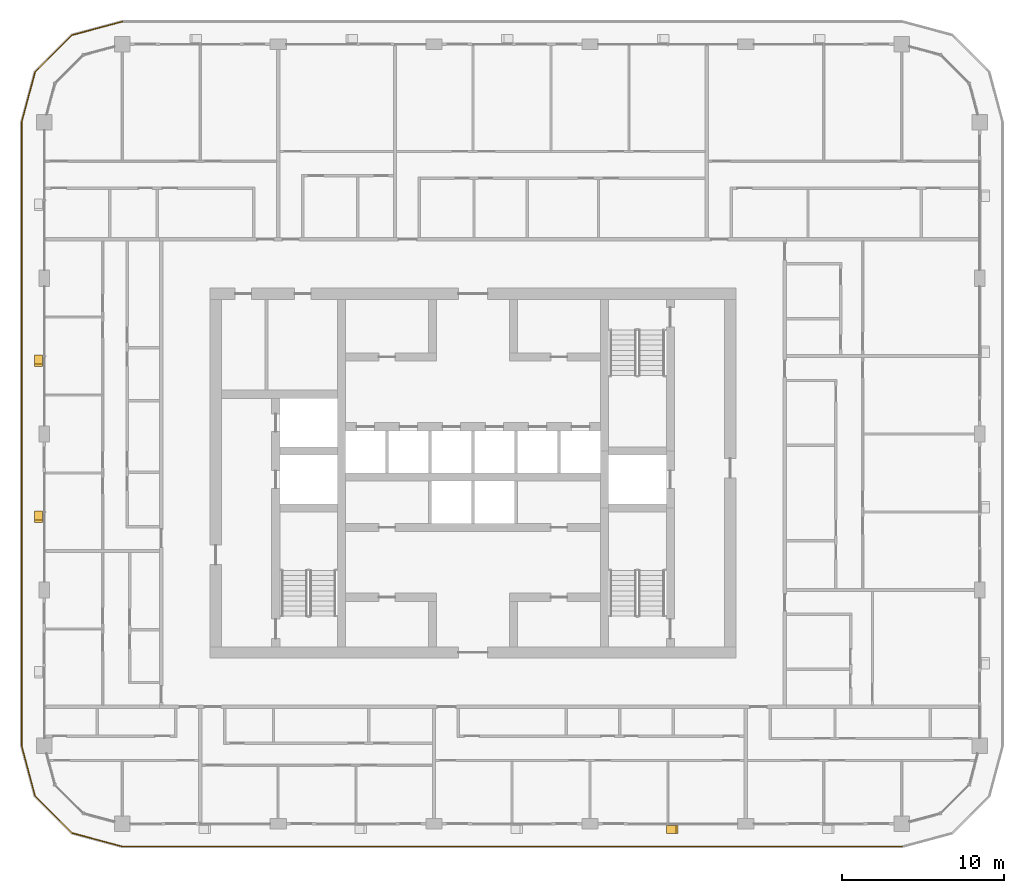
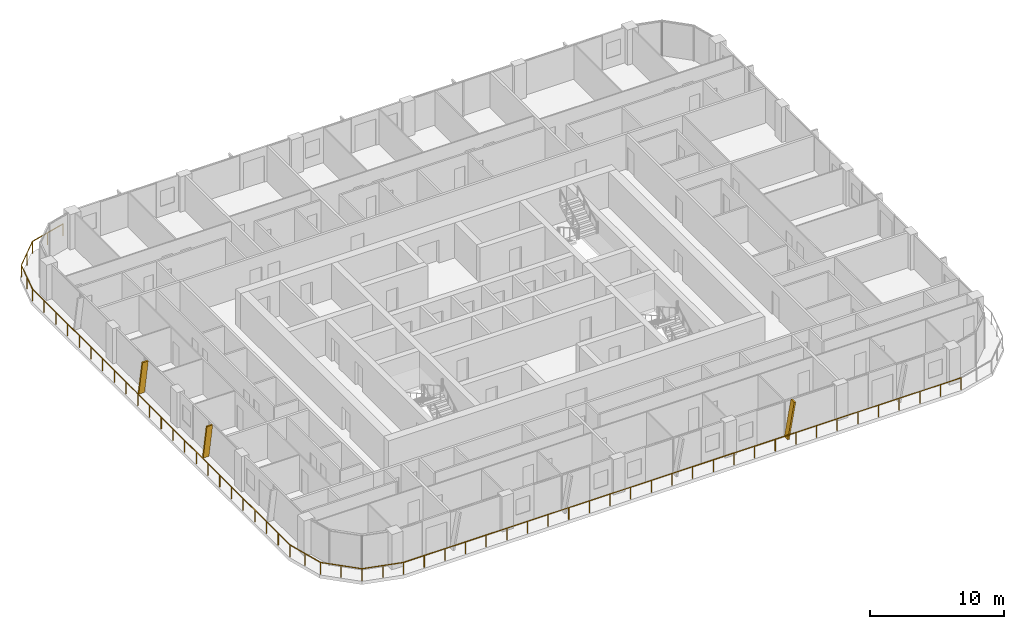
# One storey, part 19 of 23: 3 shading devices, 1 railing.
"""IFC4 building model written with IfcOpenShell, lengths in metres."""

from ifc_helpers import new_model, si_unit, direction, frame, origin, origin_2d, place, context, subcontext, project, spatial, polyline, circle, outline, extrude, material, type_object, element, save


model = new_model("IFC4")

# Units and contexts
model_context = context("Model", 3, precision=1e-05, world=origin(), true_north=direction((0.0, 1.0)))
body_context = subcontext(model_context, "Body", "Model", "MODEL_VIEW")
ifc_project = project(units=[si_unit("LENGTHUNIT", "METRE"), si_unit("AREAUNIT", "SQUARE_METRE"), si_unit("VOLUMEUNIT", "CUBIC_METRE"), si_unit("PLANEANGLEUNIT", "RADIAN"), si_unit("MASSUNIT", "GRAM", prefix="KILO")], contexts=[model_context])

# Site, building, storey
site_placement = place(None, origin())
site = spatial("IfcSite", under=ifc_project, at=site_placement, CompositionType="ELEMENT")
building_placement = place(site_placement, origin())
building = spatial("IfcBuilding", under=site, at=building_placement, Name="Madar Terraces", CompositionType="ELEMENT")
storey_placement = place(building_placement, frame((0.0, 0.0, 219.300048828125)))
storey = spatial("IfcBuildingStorey", under=building, at=storey_placement, Name="L57", CompositionType="ELEMENT", Elevation=219.300048828125)

# Railing
ifc_material_1 = material(Name="Glass, safety glazing, with stainless steel posts", Category="steel")
railing_type = type_object("IfcRailingType", Name="Balcony glass guard 1100", PredefinedType="GUARDRAIL", material=ifc_material_1)
railing_placement = place(storey_placement, frame((9.60009765625, 54.199951171875, 0.0)))
element("IfcRailing", 1, at=railing_placement, inside=storey, type_object=railing_type, Name="Balcony guard", PredefinedType="GUARDRAIL", context=body_context, shape_type="SweptSolid", body=[
    extrude(circle(Radius=0.02392578125, at=origin_2d()), frame((0.0, 0.0, 1.076171875), z_axis=(-0.9659337912, -0.258789317819, 0.0), x_axis=(0.258789317819, -0.9659337912, 0.0)), (0.0, 0.0, 1.0), 3.20947265625),
    extrude(circle(Radius=0.02392578125, at=origin_2d()), frame((-3.10009765625, -0.83056640625, 1.076171875), z_axis=(-0.707106781187, -0.707106781187, 0.0), x_axis=(0.707106781187, -0.707106781187, 0.0)), (0.0, 0.0, 1.0), 3.209228515625),
    extrude(circle(Radius=0.02392578125, at=origin_2d()), frame((-5.369384765625, -3.099853515625, 1.076171875), z_axis=(-0.258860290944, -0.965914773555, 0.0), x_axis=(0.965914773555, -0.258860290944, 0.0)), (0.0, 0.0, 1.0), 3.20947265625),
    extrude(circle(Radius=0.02392578125, at=origin_2d()), frame((-6.2001953125, -6.199951171875, 1.076171875), z_axis=(0.0, -1.0, 0.0), x_axis=(1.0, 0.0, 0.0)), (0.0, 0.0, 1.0), 38.39990234375),
    extrude(circle(Radius=0.02392578125, at=origin_2d()), frame((-6.2001953125, -44.599853515625, 1.076171875), z_axis=(0.258860290944, -0.965914773555, 0.0), x_axis=(0.965914773555, 0.258860290944, 0.0)), (0.0, 0.0, 1.0), 3.20947265625),
    extrude(circle(Radius=0.02392578125, at=origin_2d()), frame((-5.369384765625, -47.699951171875, 1.076171875), z_axis=(0.707106781187, -0.707106781187, 0.0), x_axis=(0.707106781187, 0.707106781187, 0.0)), (0.0, 0.0, 1.0), 3.209228515625),
    extrude(circle(Radius=0.02392578125, at=origin_2d()), frame((-3.10009765625, -49.96923828125, 1.076171875), z_axis=(0.965914773555, -0.258860290944, 0.0), x_axis=(0.258860290944, 0.965914773555, 0.0)), (0.0, 0.0, 1.0), 3.20947265625),
    extrude(circle(Radius=0.02392578125, at=origin_2d()), frame((0.0, -50.800048828125, 1.076171875), z_axis=(1.0, 0.0, 0.0), x_axis=(0.0, 1.0, 0.0)), (0.0, 0.0, 1.0), 48.0),
    extrude(circle(Radius=0.02099609375, at=origin_2d()), origin(), (0.0, 0.0, 1.0), 1.052001953125),
    extrude(circle(Radius=0.02099609375, at=origin_2d()), frame((-1.550048828125, -0.415283203125, 0.0)), (0.0, 0.0, 1.0), 1.052001953125),
    extrude(circle(Radius=0.02099609375, at=origin_2d()), frame((-3.10009765625, -0.83056640625, 0.0)), (0.0, 0.0, 1.0), 1.052001953125),
    extrude(circle(Radius=0.02099609375, at=origin_2d()), frame((-4.23486328125, -1.96533203125, 0.0)), (0.0, 0.0, 1.0), 1.052001953125),
    extrude(circle(Radius=0.02099609375, at=origin_2d()), frame((-5.369384765625, -3.099853515625, 0.0)), (0.0, 0.0, 1.0), 1.052001953125),
    extrude(circle(Radius=0.02099609375, at=origin_2d()), frame((-5.78466796875, -4.64990234375, 0.0)), (0.0, 0.0, 1.0), 1.052001953125),
    extrude(circle(Radius=0.02099609375, at=origin_2d()), frame((-6.2001953125, -6.199951171875, 0.0)), (0.0, 0.0, 1.0), 1.052001953125),
    extrude(circle(Radius=0.02099609375, at=origin_2d()), frame((-6.2001953125, -7.9453125, 0.0)), (0.0, 0.0, 1.0), 1.052001953125),
    extrude(circle(Radius=0.02099609375, at=origin_2d()), frame((-6.2001953125, -9.69091796875, 0.0)), (0.0, 0.0, 1.0), 1.052001953125),
    extrude(circle(Radius=0.02099609375, at=origin_2d()), frame((-6.2001953125, -11.436279296875, 0.0)), (0.0, 0.0, 1.0), 1.052001953125),
    extrude(circle(Radius=0.02099609375, at=origin_2d()), frame((-6.2001953125, -13.181640625, 0.0)), (0.0, 0.0, 1.0), 1.052001953125),
    extrude(circle(Radius=0.02099609375, at=origin_2d()), frame((-6.2001953125, -14.92724609375, 0.0)), (0.0, 0.0, 1.0), 1.052001953125),
    extrude(circle(Radius=0.02099609375, at=origin_2d()), frame((-6.2001953125, -16.672607421875, 0.0)), (0.0, 0.0, 1.0), 1.052001953125),
    extrude(circle(Radius=0.02099609375, at=origin_2d()), frame((-6.2001953125, -18.418212890625, 0.0)), (0.0, 0.0, 1.0), 1.052001953125),
    extrude(circle(Radius=0.02099609375, at=origin_2d()), frame((-6.2001953125, -20.16357421875, 0.0)), (0.0, 0.0, 1.0), 1.052001953125),
    extrude(circle(Radius=0.02099609375, at=origin_2d()), frame((-6.2001953125, -21.908935546875, 0.0)), (0.0, 0.0, 1.0), 1.052001953125),
    extrude(circle(Radius=0.02099609375, at=origin_2d()), frame((-6.2001953125, -23.654541015625, 0.0)), (0.0, 0.0, 1.0), 1.052001953125),
    extrude(circle(Radius=0.02099609375, at=origin_2d()), frame((-6.2001953125, -25.39990234375, 0.0)), (0.0, 0.0, 1.0), 1.052001953125),
    extrude(circle(Radius=0.02099609375, at=origin_2d()), frame((-6.2001953125, -27.145263671875, 0.0)), (0.0, 0.0, 1.0), 1.052001953125),
    extrude(circle(Radius=0.02099609375, at=origin_2d()), frame((-6.2001953125, -28.890869140625, 0.0)), (0.0, 0.0, 1.0), 1.052001953125),
    extrude(circle(Radius=0.02099609375, at=origin_2d()), frame((-6.2001953125, -30.63623046875, 0.0)), (0.0, 0.0, 1.0), 1.052001953125),
    extrude(circle(Radius=0.02099609375, at=origin_2d()), frame((-6.2001953125, -32.381591796875, 0.0)), (0.0, 0.0, 1.0), 1.052001953125),
    extrude(circle(Radius=0.02099609375, at=origin_2d()), frame((-6.2001953125, -34.127197265625, 0.0)), (0.0, 0.0, 1.0), 1.052001953125),
    extrude(circle(Radius=0.02099609375, at=origin_2d()), frame((-6.2001953125, -35.87255859375, 0.0)), (0.0, 0.0, 1.0), 1.052001953125),
    extrude(circle(Radius=0.02099609375, at=origin_2d()), frame((-6.2001953125, -37.6181640625, 0.0)), (0.0, 0.0, 1.0), 1.052001953125),
    extrude(circle(Radius=0.02099609375, at=origin_2d()), frame((-6.2001953125, -39.363525390625, 0.0)), (0.0, 0.0, 1.0), 1.052001953125),
    extrude(circle(Radius=0.02099609375, at=origin_2d()), frame((-6.2001953125, -41.10888671875, 0.0)), (0.0, 0.0, 1.0), 1.052001953125),
    extrude(circle(Radius=0.02099609375, at=origin_2d()), frame((-6.2001953125, -42.8544921875, 0.0)), (0.0, 0.0, 1.0), 1.052001953125),
    extrude(circle(Radius=0.02099609375, at=origin_2d()), frame((-6.2001953125, -44.599853515625, 0.0)), (0.0, 0.0, 1.0), 1.052001953125),
    extrude(circle(Radius=0.02099609375, at=origin_2d()), frame((-5.78466796875, -46.14990234375, 0.0)), (0.0, 0.0, 1.0), 1.052001953125),
    extrude(circle(Radius=0.02099609375, at=origin_2d()), frame((-5.369384765625, -47.699951171875, 0.0)), (0.0, 0.0, 1.0), 1.052001953125),
    extrude(circle(Radius=0.02099609375, at=origin_2d()), frame((-4.23486328125, -48.83447265625, 0.0)), (0.0, 0.0, 1.0), 1.052001953125),
    extrude(circle(Radius=0.02099609375, at=origin_2d()), frame((-3.10009765625, -49.96923828125, 0.0)), (0.0, 0.0, 1.0), 1.052001953125),
    extrude(circle(Radius=0.02099609375, at=origin_2d()), frame((-1.550048828125, -50.384765625, 0.0)), (0.0, 0.0, 1.0), 1.052001953125),
    extrude(circle(Radius=0.02099609375, at=origin_2d()), frame((0.0, -50.800048828125, 0.0)), (0.0, 0.0, 1.0), 1.052001953125),
    extrude(circle(Radius=0.02099609375, at=origin_2d()), frame((1.77783203125, -50.800048828125, 0.0)), (0.0, 0.0, 1.0), 1.052001953125),
    extrude(circle(Radius=0.02099609375, at=origin_2d()), frame((3.5556640625, -50.800048828125, 0.0)), (0.0, 0.0, 1.0), 1.052001953125),
    extrude(circle(Radius=0.02099609375, at=origin_2d()), frame((5.333251953125, -50.800048828125, 0.0)), (0.0, 0.0, 1.0), 1.052001953125),
    extrude(circle(Radius=0.02099609375, at=origin_2d()), frame((7.111083984375, -50.800048828125, 0.0)), (0.0, 0.0, 1.0), 1.052001953125),
    extrude(circle(Radius=0.02099609375, at=origin_2d()), frame((8.888916015625, -50.800048828125, 0.0)), (0.0, 0.0, 1.0), 1.052001953125),
    extrude(circle(Radius=0.02099609375, at=origin_2d()), frame((10.666748046875, -50.800048828125, 0.0)), (0.0, 0.0, 1.0), 1.052001953125),
    extrude(circle(Radius=0.02099609375, at=origin_2d()), frame((12.4443359375, -50.800048828125, 0.0)), (0.0, 0.0, 1.0), 1.052001953125),
    extrude(circle(Radius=0.02099609375, at=origin_2d()), frame((14.22216796875, -50.800048828125, 0.0)), (0.0, 0.0, 1.0), 1.052001953125),
    extrude(circle(Radius=0.02099609375, at=origin_2d()), frame((16.0, -50.800048828125, 0.0)), (0.0, 0.0, 1.0), 1.052001953125),
    extrude(circle(Radius=0.02099609375, at=origin_2d()), frame((17.77783203125, -50.800048828125, 0.0)), (0.0, 0.0, 1.0), 1.052001953125),
    extrude(circle(Radius=0.02099609375, at=origin_2d()), frame((19.5556640625, -50.800048828125, 0.0)), (0.0, 0.0, 1.0), 1.052001953125),
    extrude(circle(Radius=0.02099609375, at=origin_2d()), frame((21.333251953125, -50.800048828125, 0.0)), (0.0, 0.0, 1.0), 1.052001953125),
    extrude(circle(Radius=0.02099609375, at=origin_2d()), frame((23.111083984375, -50.800048828125, 0.0)), (0.0, 0.0, 1.0), 1.052001953125),
    extrude(circle(Radius=0.02099609375, at=origin_2d()), frame((24.888916015625, -50.800048828125, 0.0)), (0.0, 0.0, 1.0), 1.052001953125),
    extrude(circle(Radius=0.02099609375, at=origin_2d()), frame((26.666748046875, -50.800048828125, 0.0)), (0.0, 0.0, 1.0), 1.052001953125),
    extrude(circle(Radius=0.02099609375, at=origin_2d()), frame((28.4443359375, -50.800048828125, 0.0)), (0.0, 0.0, 1.0), 1.052001953125),
    extrude(circle(Radius=0.02099609375, at=origin_2d()), frame((30.22216796875, -50.800048828125, 0.0)), (0.0, 0.0, 1.0), 1.052001953125),
    extrude(circle(Radius=0.02099609375, at=origin_2d()), frame((32.0, -50.800048828125, 0.0)), (0.0, 0.0, 1.0), 1.052001953125),
    extrude(circle(Radius=0.02099609375, at=origin_2d()), frame((33.77783203125, -50.800048828125, 0.0)), (0.0, 0.0, 1.0), 1.052001953125),
    extrude(circle(Radius=0.02099609375, at=origin_2d()), frame((35.5556640625, -50.800048828125, 0.0)), (0.0, 0.0, 1.0), 1.052001953125),
    extrude(circle(Radius=0.02099609375, at=origin_2d()), frame((37.333251953125, -50.800048828125, 0.0)), (0.0, 0.0, 1.0), 1.052001953125),
    extrude(circle(Radius=0.02099609375, at=origin_2d()), frame((39.111083984375, -50.800048828125, 0.0)), (0.0, 0.0, 1.0), 1.052001953125),
    extrude(circle(Radius=0.02099609375, at=origin_2d()), frame((40.888916015625, -50.800048828125, 0.0)), (0.0, 0.0, 1.0), 1.052001953125),
    extrude(circle(Radius=0.02099609375, at=origin_2d()), frame((42.666748046875, -50.800048828125, 0.0)), (0.0, 0.0, 1.0), 1.052001953125),
    extrude(circle(Radius=0.02099609375, at=origin_2d()), frame((44.4443359375, -50.800048828125, 0.0)), (0.0, 0.0, 1.0), 1.052001953125),
    extrude(circle(Radius=0.02099609375, at=origin_2d()), frame((46.22216796875, -50.800048828125, 0.0)), (0.0, 0.0, 1.0), 1.052001953125),
    extrude(circle(Radius=0.02099609375, at=origin_2d()), frame((48.0, -50.800048828125, 0.0)), (0.0, 0.0, 1.0), 1.052001953125),
])

# Shading devices
ifc_material_2 = material(Name="Aluminium, black anodised", Category="aluminium")
shading_device_type = type_object("IfcShadingDeviceType", Name="Facade fin blade 140 x 500", PredefinedType="USERDEFINED", material=ifc_material_2)
shading_device_1_placement = place(storey_placement, frame((43.1298828125, 4.449951171875, 0.0), z_axis=(0.0, 0.0, 1.0), x_axis=(1.0, 0.0, 0.0)))
element("IfcShadingDevice", 2, at=shading_device_1_placement, inside=storey, type_object=shading_device_type, Name="FIN L57 S4", ObjectType="FIN", PredefinedType="USERDEFINED", context=body_context, shape_type="SweptSolid", body=[
    extrude(outline(polyline([(0.0, 0.0), (0.14013671875, 0.0), (0.704345703125, 3.199951171875), (0.564208984375, 3.199951171875), (0.0, 0.0)])), frame((0.0, 0.25, 0.0), z_axis=(0.0, -1.0, 0.0), x_axis=(1.0, 0.0, 0.0)), (0.0, 0.0, 1.0), 0.5),
])
shading_device_2_placement = place(storey_placement, frame((4.449951171875, 33.669921875, 0.0), z_axis=(0.0, 0.0, 1.0), x_axis=(0.0, -1.0, 0.0)))
element("IfcShadingDevice", 3, at=shading_device_2_placement, inside=storey, type_object=shading_device_type, Name="FIN L57 W2", ObjectType="FIN", PredefinedType="USERDEFINED", context=body_context, shape_type="SweptSolid", body=[
    extrude(outline(polyline([(0.0, 0.0), (0.139892578125, 0.0), (0.704345703125, 3.199951171875), (0.564208984375, 3.199951171875), (0.0, 0.0)])), frame((0.0, 0.25, 0.0), z_axis=(0.0, -1.0, 0.0), x_axis=(1.0, 0.0, 0.0)), (0.0, 0.0, 1.0), 0.5),
])
shading_device_3_placement = place(storey_placement, frame((4.449951171875, 24.070068359375, 0.0), z_axis=(0.0, 0.0, 1.0), x_axis=(0.0, -1.0, 0.0)))
element("IfcShadingDevice", 4, at=shading_device_3_placement, inside=storey, type_object=shading_device_type, Name="FIN L57 W3", ObjectType="FIN", PredefinedType="USERDEFINED", context=body_context, shape_type="SweptSolid", body=[
    extrude(outline(polyline([(0.0, 0.0), (0.14013671875, 0.0), (0.704345703125, 3.199951171875), (0.564208984375, 3.199951171875), (0.0, 0.0)])), frame((0.0, 0.25, 0.0), z_axis=(0.0, -1.0, 0.0), x_axis=(1.0, 0.0, 0.0)), (0.0, 0.0, 1.0), 0.5),
])

save(model, "model.ifc")
